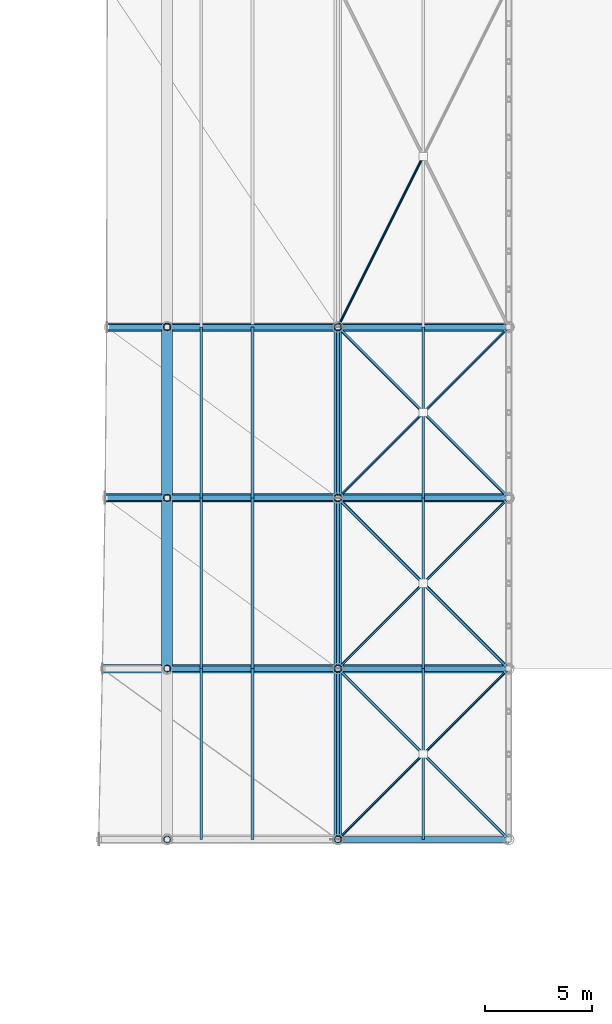
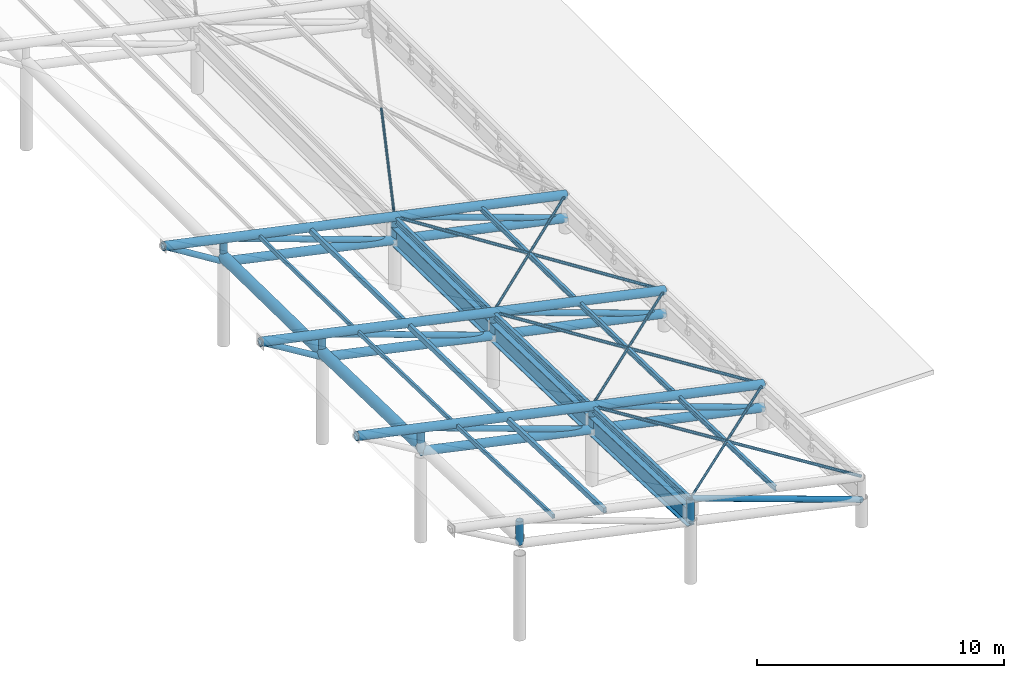
# One storey, part 14 of 41: 45 members, 5 beams.
"""IFC4 building model written with IfcOpenShell, lengths in metres."""

from ifc_helpers import new_model, si_unit, direction, frame, origin, origin_2d, place, context, subcontext, project, spatial, hollow_rectangle, hollow_circle, i_section, extrude, material, material_profile, profile_set, type_object, element, save


model = new_model("IFC4")

# Units and contexts
model_context = context("Model", 3, precision=1e-05, world=origin(), true_north=direction((0.0, 1.0)))
body_context = subcontext(model_context, "Body", "Model", "MODEL_VIEW")
ifc_project = project(units=[si_unit("LENGTHUNIT", "METRE"), si_unit("AREAUNIT", "SQUARE_METRE"), si_unit("VOLUMEUNIT", "CUBIC_METRE"), si_unit("PLANEANGLEUNIT", "RADIAN"), si_unit("MASSUNIT", "GRAM", prefix="KILO")], contexts=[model_context])

# Site, building, storey
site_placement = place(None, origin())
site = spatial("IfcSite", under=ifc_project, at=site_placement, CompositionType="ELEMENT")
building_placement = place(site_placement, origin())
building = spatial("IfcBuilding", under=site, at=building_placement, Name="Haebicheon Civic Stadium", CompositionType="ELEMENT")
storey_placement = place(building_placement, frame((0.0, 0.0, 27.0)))
storey = spatial("IfcBuildingStorey", under=building, at=storey_placement, Name="L07", CompositionType="ELEMENT", Elevation=27.0)

# Members
ifc_material_1 = material(Name="White painted steel SM490", Category="steel")
ifc_material_profile_1 = material_profile(ifc_material_1, hollow_circle(Radius=0.05712890625, WallThickness=0.006103515625, at=origin_2d()), Name="CHS-114.3x6.0")
ifc_profile_set_1 = profile_set([ifc_material_profile_1], Name="White painted steel SM490")
member_type_1 = type_object("IfcMemberType", Name="BRC-CHS114", PredefinedType="BRACE", material=ifc_profile_set_1)
member_1_placement = place(storey_placement, frame((152.0, 56.0, 2.097900390625), z_axis=(-0.696230932576, -0.696230932576, 0.174713986418), x_axis=(0.707106781187, -0.707106781187, 0.0)))
element("IfcMember", 1, at=member_1_placement, inside=storey, type_object=member_type_1, material=ifc_profile_set_1, Name="BR114 diagonal brace CAN-EAST canopy bay 1 B1", PredefinedType="BRACE", context=body_context, shape_type="SweptSolid", body=[
    extrude(hollow_circle(Radius=0.05712890625, WallThickness=0.006103515625, at=origin_2d()), origin(), (0.0, 0.0, 1.0), 5.67333984375),
])
member_2_placement = place(storey_placement, frame((147.949951171875, 51.949951171875, 3.114990234375), z_axis=(-0.696215223537, -0.696215223537, 0.174839140443), x_axis=(0.707106781187, -0.707106781187, 0.0)))
element("IfcMember", 2, at=member_2_placement, inside=storey, type_object=member_type_1, material=ifc_profile_set_1, Name="BR114 diagonal brace CAN-EAST canopy bay 1 B2", PredefinedType="BRACE", context=body_context, shape_type="SweptSolid", body=[
    extrude(hollow_circle(Radius=0.05712890625, WallThickness=0.006103515625, at=origin_2d()), origin(), (0.0, 0.0, 1.0), 5.673583984375),
])
for number, where, z_axis, x_axis, name in (
    (3, (152.0, 64.0, 1.89208984375), (-0.697078634818, -0.697078634818, 0.167817620534), (0.707106781187, -0.707106781187, 0.0), "BR114 diagonal brace CAN-EAST canopy bay 2 B1"),
    (4, (147.949951171875, 59.949951171875, 2.866943359375), (-0.697073594006, -0.697073594006, 0.167859492073), (0.707106781187, -0.707106781187, 0.0), "BR114 diagonal brace CAN-EAST canopy bay 2 B2"),
):
    element("IfcMember", number, at=place(storey_placement, frame(where, z_axis=z_axis, x_axis=x_axis)), inside=storey, type_object=member_type_1, material=ifc_profile_set_1, Name=name, PredefinedType="BRACE", context=body_context, shape_type="SweptSolid", body=[
        extrude(hollow_circle(Radius=0.05712890625, WallThickness=0.006103515625, at=origin_2d()), origin(), (0.0, 0.0, 1.0), 5.66650390625),
    ])
for number, where, z_axis, x_axis, name in (
    (5, (152.0, 72.0, 1.76806640625), (-0.697908610363, -0.697908610363, 0.160770467323), (0.707106781187, -0.707106781187, 0.0), "BR114 diagonal brace CAN-EAST canopy bay 3 B1"),
    (6, (147.949951171875, 67.949951171875, 2.701904296875), (-0.697903769693, -0.697903769693, 0.160812488622), (0.707106781187, -0.707106781187, 0.0), "BR114 diagonal brace CAN-EAST canopy bay 3 B2"),
):
    element("IfcMember", number, at=place(storey_placement, frame(where, z_axis=z_axis, x_axis=x_axis)), inside=storey, type_object=member_type_1, material=ifc_profile_set_1, Name=name, PredefinedType="BRACE", context=body_context, shape_type="SweptSolid", body=[
        extrude(hollow_circle(Radius=0.05712890625, WallThickness=0.006103515625, at=origin_2d()), origin(), (0.0, 0.0, 1.0), 5.65966796875),
    ])
member_3_placement = place(storey_placement, frame((147.968017578125, 79.93603515625, 2.614990234375), z_axis=(-0.445064264621, -0.890128529241, 0.097923448612), x_axis=(0.894427191, -0.4472135955, 0.0)))
element("IfcMember", 7, at=member_3_placement, inside=storey, type_object=member_type_1, material=ifc_profile_set_1, Name="BR114 diagonal brace CAN-EAST canopy bay 4 B2", PredefinedType="BRACE", context=body_context, shape_type="SweptSolid", body=[
    extrude(hollow_circle(Radius=0.05712890625, WallThickness=0.006103515625, at=origin_2d()), origin(), (0.0, 0.0, 1.0), 8.91552734375),
])
ifc_material_2 = material(Name="White painted steel SM490", Category="steel")
ifc_material_profile_2 = material_profile(ifc_material_2, hollow_circle(Radius=0.06982421875, WallThickness=0.006591796875, at=origin_2d()), Name="CHS-139.8x6.6")
ifc_profile_set_2 = profile_set([ifc_material_profile_2], Name="White painted steel SM490")
member_type_2 = type_object("IfcMemberType", Name="BRC-CHS139", PredefinedType="BRACE", material=ifc_profile_set_2)
member_4_placement = place(storey_placement, frame((152.0, 48.0, 2.386962890625), z_axis=(-0.701516385162, 0.701516385162, 0.12549710235), x_axis=(-0.707106781187, -0.707106781187, 0.0)))
element("IfcMember", 8, at=member_4_placement, inside=storey, type_object=member_type_2, material=ifc_profile_set_2, Name="BR139 diagonal brace CAN-EAST canopy bay 1 A", PredefinedType="BRACE", context=body_context, shape_type="SweptSolid", body=[
    extrude(hollow_circle(Radius=0.06982421875, WallThickness=0.006591796875, at=origin_2d()), origin(), (0.0, 0.0, 1.0), 11.40380859375),
])
member_5_placement = place(storey_placement, frame((152.0, 56.0, 2.097900390625), z_axis=(-0.700857906015, 0.700857906015, 0.13265138956), x_axis=(-0.707106781187, -0.707106781187, 0.0)))
element("IfcMember", 9, at=member_5_placement, inside=storey, type_object=member_type_2, material=ifc_profile_set_2, Name="BR139 diagonal brace CAN-EAST canopy bay 2 A", PredefinedType="BRACE", context=body_context, shape_type="SweptSolid", body=[
    extrude(hollow_circle(Radius=0.06982421875, WallThickness=0.006591796875, at=origin_2d()), origin(), (0.0, 0.0, 1.0), 11.41455078125),
])
member_6_placement = place(storey_placement, frame((152.0, 64.0, 1.89208984375), z_axis=(-0.700174773618, 0.700174773618, 0.139680251927), x_axis=(-0.707106781187, -0.707106781187, 0.0)))
element("IfcMember", 10, at=member_6_placement, inside=storey, type_object=member_type_2, material=ifc_profile_set_2, Name="BR139 diagonal brace CAN-EAST canopy bay 3 A", PredefinedType="BRACE", context=body_context, shape_type="SweptSolid", body=[
    extrude(hollow_circle(Radius=0.06982421875, WallThickness=0.006591796875, at=origin_2d()), origin(), (0.0, 0.0, 1.0), 11.42578125),
])
ifc_material_3 = material(Name="White painted steel SM490", Category="steel")
ifc_material_profile_3 = material_profile(ifc_material_3, hollow_circle(Radius=0.1337890625, WallThickness=0.011962890625, at=origin_2d()), Name="CHS-267.4x12.0")
ifc_profile_set_3 = profile_set([ifc_material_profile_3], Name="White painted steel SM490")
member_type_3 = type_object("IfcMemberType", Name="BRC-CHS267", PredefinedType="BRACE", material=ifc_profile_set_3)
for number, where, z_axis, x_axis, name in (
    (11, (152.0, 48.0, 1.237060546875), (-0.9412665544, 0.0, 0.3376644393), (0.0, -1.0, 0.0), "BR267 diagonal brace CAN-EAST truss 1 D1"),
    (12, (152.0, 56.0, 0.947998046875), (-0.941257424358, 0.0, 0.337689888939), (0.0, -1.0, 0.0), "BR267 diagonal brace CAN-EAST truss 2 D1"),
    (13, (144.0, 56.0, 2.66796875), (-0.941257424358, 0.0, 0.337689888939), (0.0, -1.0, 0.0), "BR267 diagonal brace CAN-EAST truss 2 D2"),
):
    element("IfcMember", number, at=place(storey_placement, frame(where, z_axis=z_axis, x_axis=x_axis)), inside=storey, type_object=member_type_3, material=ifc_profile_set_3, Name=name, PredefinedType="BRACE", context=body_context, shape_type="SweptSolid", body=[
        extrude(hollow_circle(Radius=0.1337890625, WallThickness=0.011962890625, at=origin_2d()), origin(), (0.0, 0.0, 1.0), 8.499267578125),
    ])
member_7_placement = place(storey_placement, frame((135.881103515625, 64.0, 4.2548828125), z_axis=(-0.853187395002, 0.0, 0.521604513984), x_axis=(0.0, -1.0, 0.0)))
element("IfcMember", 14, at=member_7_placement, inside=storey, type_object=member_type_3, material=ifc_profile_set_3, Name="BR267 diagonal brace CAN-EAST truss 3 tip", PredefinedType="BRACE", context=body_context, shape_type="SweptSolid", body=[
    extrude(hollow_circle(Radius=0.1337890625, WallThickness=0.011962890625, at=origin_2d()), origin(), (0.0, 0.0, 1.0), 3.259521484375),
])
for number, where, z_axis, x_axis, name in (
    (15, (152.0, 64.0, 0.741943359375), (-0.941257424358, 0.0, 0.337689888939), (0.0, -1.0, 0.0), "BR267 diagonal brace CAN-EAST truss 3 D1"),
    (16, (144.0, 64.0, 2.4619140625), (-0.941257424358, 0.0, 0.337689888939), (0.0, -1.0, 0.0), "BR267 diagonal brace CAN-EAST truss 3 D2"),
):
    element("IfcMember", number, at=place(storey_placement, frame(where, z_axis=z_axis, x_axis=x_axis)), inside=storey, type_object=member_type_3, material=ifc_profile_set_3, Name=name, PredefinedType="BRACE", context=body_context, shape_type="SweptSolid", body=[
        extrude(hollow_circle(Radius=0.1337890625, WallThickness=0.011962890625, at=origin_2d()), origin(), (0.0, 0.0, 1.0), 8.499267578125),
    ])
member_8_placement = place(storey_placement, frame((135.881103515625, 72.0, 4.132080078125), z_axis=(-0.849184113658, 0.0, 0.528096905038), x_axis=(0.0, -1.0, 0.0)))
element("IfcMember", 17, at=member_8_placement, inside=storey, type_object=member_type_3, material=ifc_profile_set_3, Name="BR267 diagonal brace CAN-EAST truss 4 tip", PredefinedType="BRACE", context=body_context, shape_type="SweptSolid", body=[
    extrude(hollow_circle(Radius=0.1337890625, WallThickness=0.011962890625, at=origin_2d()), origin(), (0.0, 0.0, 1.0), 3.186767578125),
])
for number, where, z_axis, x_axis, name in (
    (18, (152.0, 72.0, 0.617919921875), (-0.941257424358, 0.0, 0.337689888939), (0.0, -1.0, 0.0), "BR267 diagonal brace CAN-EAST truss 4 D1"),
    (19, (144.0, 72.0, 2.337890625), (-0.941257424358, 0.0, 0.337689888939), (0.0, -1.0, 0.0), "BR267 diagonal brace CAN-EAST truss 4 D2"),
):
    element("IfcMember", number, at=place(storey_placement, frame(where, z_axis=z_axis, x_axis=x_axis)), inside=storey, type_object=member_type_3, material=ifc_profile_set_3, Name=name, PredefinedType="BRACE", context=body_context, shape_type="SweptSolid", body=[
        extrude(hollow_circle(Radius=0.1337890625, WallThickness=0.011962890625, at=origin_2d()), origin(), (0.0, 0.0, 1.0), 8.499267578125),
    ])
ifc_material_4 = material(Name="White painted steel SM490", Category="steel")
ifc_material_profile_4 = material_profile(ifc_material_4, hollow_circle(Radius=0.203125, WallThickness=0.01806640625, at=origin_2d()), Name="CHS-406.4x18.0")
ifc_profile_set_4 = profile_set([ifc_material_profile_4], Name="White painted steel SM490")
member_type_4 = type_object("IfcMemberType", Name="CHD-CHS406", PredefinedType="CHORD", material=ifc_profile_set_4)
member_9_placement = place(storey_placement, frame((152.0, 56.0, 2.097900390625), z_axis=(-0.977661924231, 0.0, 0.210183638537), x_axis=(0.0, -1.0, 0.0)))
element("IfcMember", 20, at=member_9_placement, inside=storey, type_object=member_type_4, material=ifc_profile_set_4, Name="CH406 truss chord CAN-EAST 2 top", PredefinedType="CHORD", context=body_context, shape_type="SweptSolid", body=[
    extrude(hollow_circle(Radius=0.203125, WallThickness=0.01806640625, at=origin_2d()), origin(), (0.0, 0.0, 1.0), 19.45947265625),
])
member_10_placement = place(storey_placement, frame((152.0, 56.0, 0.947998046875), z_axis=(-0.977659849808, 0.0, 0.210193287411), x_axis=(0.0, -1.0, 0.0)))
element("IfcMember", 21, at=member_10_placement, inside=storey, type_object=member_type_4, material=ifc_profile_set_4, Name="CH406 truss chord CAN-EAST 2 bottom", PredefinedType="CHORD", context=body_context, shape_type="SweptSolid", body=[
    extrude(hollow_circle(Radius=0.203125, WallThickness=0.01806640625, at=origin_2d()), origin(), (0.0, 0.0, 1.0), 16.36572265625),
])
member_11_placement = place(storey_placement, frame((152.0, 64.0, 1.89208984375), z_axis=(-0.977664330265, 0.0, 0.210172446641), x_axis=(0.0, -1.0, 0.0)))
element("IfcMember", 22, at=member_11_placement, inside=storey, type_object=member_type_4, material=ifc_profile_set_4, Name="CH406 truss chord CAN-EAST 3 top", PredefinedType="CHORD", context=body_context, shape_type="SweptSolid", body=[
    extrude(hollow_circle(Radius=0.203125, WallThickness=0.01806640625, at=origin_2d()), origin(), (0.0, 0.0, 1.0), 19.331787109375),
])
member_12_placement = place(storey_placement, frame((152.0, 64.0, 0.741943359375), z_axis=(-0.977659849808, 0.0, 0.210193287411), x_axis=(0.0, -1.0, 0.0)))
element("IfcMember", 23, at=member_12_placement, inside=storey, type_object=member_type_4, material=ifc_profile_set_4, Name="CH406 truss chord CAN-EAST 3 bottom", PredefinedType="CHORD", context=body_context, shape_type="SweptSolid", body=[
    extrude(hollow_circle(Radius=0.203125, WallThickness=0.01806640625, at=origin_2d()), origin(), (0.0, 0.0, 1.0), 16.36572265625),
])
member_13_placement = place(storey_placement, frame((152.0, 72.0, 1.76806640625), z_axis=(-0.977664338006, 0.0, 0.210172410634), x_axis=(0.0, -1.0, 0.0)))
element("IfcMember", 24, at=member_13_placement, inside=storey, type_object=member_type_4, material=ifc_profile_set_4, Name="CH406 truss chord CAN-EAST 4 top", PredefinedType="CHORD", context=body_context, shape_type="SweptSolid", body=[
    extrude(hollow_circle(Radius=0.203125, WallThickness=0.01806640625, at=origin_2d()), origin(), (0.0, 0.0, 1.0), 19.255126953125),
])
member_14_placement = place(storey_placement, frame((152.0, 72.0, 0.617919921875), z_axis=(-0.977656784121, 0.0, 0.210207546159), x_axis=(0.0, -1.0, 0.0)))
element("IfcMember", 25, at=member_14_placement, inside=storey, type_object=member_type_4, material=ifc_profile_set_4, Name="CH406 truss chord CAN-EAST 4 bottom", PredefinedType="CHORD", context=body_context, shape_type="SweptSolid", body=[
    extrude(hollow_circle(Radius=0.203125, WallThickness=0.01806640625, at=origin_2d()), origin(), (0.0, 0.0, 1.0), 16.36572265625),
])
ifc_material_5 = material(Name="White painted steel SM490", Category="steel")
ifc_material_profile_5 = material_profile(ifc_material_5, hollow_rectangle(XDim=0.10009765625, YDim=0.199951171875, WallThickness=0.008056640625, at=origin_2d()), Name="RHS-200x100x8.0")
ifc_profile_set_5 = profile_set([ifc_material_profile_5], Name="White painted steel SM490")
member_type_5 = type_object("IfcMemberType", Name="PRL-RHS200", PredefinedType="RAFTER", material=ifc_profile_set_5)
member_15_placement = place(storey_placement, frame((137.60009765625, 48.0, 5.44091796875), z_axis=(0.0, 0.999348948505, -0.036078790469), x_axis=(-1.0, 0.0, 0.0)))
element("IfcMember", 26, at=member_15_placement, inside=storey, type_object=member_type_5, material=ifc_profile_set_5, Name="CAN-EAST canopy purlin bay 1 (90%)", PredefinedType="RAFTER", context=body_context, shape_type="SweptSolid", body=[
    extrude(hollow_rectangle(XDim=0.10009765625, YDim=0.199951171875, WallThickness=0.008056640625, at=origin_2d()), origin(), (0.0, 0.0, 1.0), 8.005126953125),
])
member_16_placement = place(storey_placement, frame((137.60009765625, 56.0, 5.152099609375), z_axis=(0.0, 0.999668457655, -0.025748296456), x_axis=(-1.0, 0.0, 0.0)))
element("IfcMember", 27, at=member_16_placement, inside=storey, type_object=member_type_5, material=ifc_profile_set_5, Name="CAN-EAST canopy purlin bay 2 (90%)", PredefinedType="RAFTER", context=body_context, shape_type="SweptSolid", body=[
    extrude(hollow_rectangle(XDim=0.10009765625, YDim=0.199951171875, WallThickness=0.008056640625, at=origin_2d()), origin(), (0.0, 0.0, 1.0), 8.002685546875),
])
member_17_placement = place(storey_placement, frame((137.60009765625, 64.0, 4.946044921875), z_axis=(0.0, 0.999879851243, -0.01550106703), x_axis=(-1.0, 0.0, 0.0)))
element("IfcMember", 28, at=member_17_placement, inside=storey, type_object=member_type_5, material=ifc_profile_set_5, Name="CAN-EAST canopy purlin bay 3 (90%)", PredefinedType="RAFTER", context=body_context, shape_type="SweptSolid", body=[
    extrude(hollow_rectangle(XDim=0.10009765625, YDim=0.199951171875, WallThickness=0.008056640625, at=origin_2d()), origin(), (0.0, 0.0, 1.0), 8.0009765625),
])
ifc_material_6 = material(Name="White painted steel SM490", Category="steel")
ifc_material_profile_6 = material_profile(ifc_material_6, hollow_rectangle(XDim=0.14990234375, YDim=0.25, WallThickness=0.010009765625, at=origin_2d()), Name="RHS-250x150x10.0")
ifc_profile_set_6 = profile_set([ifc_material_profile_6], Name="White painted steel SM490")
member_type_6 = type_object("IfcMemberType", Name="PRL-RHS250", PredefinedType="PURLIN", material=ifc_profile_set_6)
member_18_placement = place(storey_placement, frame((140.0, 48.0, 4.89990234375), z_axis=(0.0, 0.999348948505, -0.036078790469), x_axis=(-1.0, 0.0, 0.0)))
element("IfcMember", 29, at=member_18_placement, inside=storey, type_object=member_type_6, material=ifc_profile_set_6, Name="CAN-EAST canopy purlin bay 1 (75%)", PredefinedType="PURLIN", context=body_context, shape_type="SweptSolid", body=[
    extrude(hollow_rectangle(XDim=0.14990234375, YDim=0.25, WallThickness=0.010009765625, at=origin_2d()), origin(), (0.0, 0.0, 1.0), 8.005126953125),
])
member_19_placement = place(storey_placement, frame((140.0, 56.0, 4.611083984375), z_axis=(0.0, 0.999668457655, -0.025748296456), x_axis=(-1.0, 0.0, 0.0)))
element("IfcMember", 30, at=member_19_placement, inside=storey, type_object=member_type_6, material=ifc_profile_set_6, Name="CAN-EAST canopy purlin bay 2 (75%)", PredefinedType="PURLIN", context=body_context, shape_type="SweptSolid", body=[
    extrude(hollow_rectangle(XDim=0.14990234375, YDim=0.25, WallThickness=0.010009765625, at=origin_2d()), origin(), (0.0, 0.0, 1.0), 8.002685546875),
])
member_20_placement = place(storey_placement, frame((140.0, 64.0, 4.405029296875), z_axis=(0.0, 0.999879851243, -0.01550106703), x_axis=(-1.0, 0.0, 0.0)))
element("IfcMember", 31, at=member_20_placement, inside=storey, type_object=member_type_6, material=ifc_profile_set_6, Name="CAN-EAST canopy purlin bay 3 (75%)", PredefinedType="PURLIN", context=body_context, shape_type="SweptSolid", body=[
    extrude(hollow_rectangle(XDim=0.14990234375, YDim=0.25, WallThickness=0.010009765625, at=origin_2d()), origin(), (0.0, 0.0, 1.0), 8.0009765625),
])
ifc_material_7 = material(Name="White painted steel SM490", Category="steel")
ifc_material_profile_7 = material_profile(ifc_material_7, i_section(OverallWidth=0.125, OverallDepth=0.25, WebThickness=0.006103515625, FlangeThickness=0.009033203125, at=origin_2d()), Name="H-250x125x6x9")
ifc_profile_set_7 = profile_set([ifc_material_profile_7], Name="White painted steel SM490")
member_type_7 = type_object("IfcMemberType", Name="PRL-ST-H250", PredefinedType="PURLIN", material=ifc_profile_set_7)
member_21_placement = place(storey_placement, frame((148.0, 48.0, 3.179931640625), z_axis=(0.0, 0.999348948505, -0.036078790469), x_axis=(-1.0, 0.0, 0.0)))
element("IfcMember", 32, at=member_21_placement, inside=storey, type_object=member_type_7, material=ifc_profile_set_7, Name="CAN-EAST canopy purlin bay 1 (25%)", PredefinedType="PURLIN", context=body_context, shape_type="SweptSolid", body=[
    extrude(i_section(OverallWidth=0.125, OverallDepth=0.25, WebThickness=0.006103515625, FlangeThickness=0.009033203125, at=origin_2d()), origin(), (0.0, 0.0, 1.0), 8.005126953125),
])
member_22_placement = place(storey_placement, frame((148.0, 56.0, 2.89111328125), z_axis=(0.0, 0.999668457655, -0.025748296456), x_axis=(-1.0, 0.0, 0.0)))
element("IfcMember", 33, at=member_22_placement, inside=storey, type_object=member_type_7, material=ifc_profile_set_7, Name="CAN-EAST canopy purlin bay 2 (25%)", PredefinedType="PURLIN", context=body_context, shape_type="SweptSolid", body=[
    extrude(i_section(OverallWidth=0.125, OverallDepth=0.25, WebThickness=0.006103515625, FlangeThickness=0.009033203125, at=origin_2d()), origin(), (0.0, 0.0, 1.0), 8.002685546875),
])
member_23_placement = place(storey_placement, frame((148.0, 64.0, 2.68505859375), z_axis=(0.0, 0.999879851243, -0.01550106703), x_axis=(-1.0, 0.0, 0.0)))
element("IfcMember", 34, at=member_23_placement, inside=storey, type_object=member_type_7, material=ifc_profile_set_7, Name="CAN-EAST canopy purlin bay 3 (25%)", PredefinedType="PURLIN", context=body_context, shape_type="SweptSolid", body=[
    extrude(i_section(OverallWidth=0.125, OverallDepth=0.25, WebThickness=0.006103515625, FlangeThickness=0.009033203125, at=origin_2d()), origin(), (0.0, 0.0, 1.0), 8.0009765625),
])
ifc_material_8 = material(Name="White painted steel SM490", Category="steel")
ifc_material_profile_8 = material_profile(ifc_material_8, i_section(OverallWidth=0.14990234375, OverallDepth=0.300048828125, WebThickness=0.006591796875, FlangeThickness=0.009033203125, at=origin_2d()), Name="H-300x150x6.5x9")
ifc_profile_set_8 = profile_set([ifc_material_profile_8], Name="White painted steel SM490")
member_type_8 = type_object("IfcMemberType", Name="PRL-ST-H300", PredefinedType="PURLIN", material=ifc_profile_set_8)
member_24_placement = place(storey_placement, frame((144.0, 48.0, 4.014892578125), z_axis=(0.0, 0.999348948505, -0.036078790469), x_axis=(-1.0, 0.0, 0.0)))
element("IfcMember", 35, at=member_24_placement, inside=storey, type_object=member_type_8, material=ifc_profile_set_8, Name="CAN-EAST canopy purlin bay 1 (50%)", PredefinedType="PURLIN", context=body_context, shape_type="SweptSolid", body=[
    extrude(i_section(OverallWidth=0.14990234375, OverallDepth=0.300048828125, WebThickness=0.006591796875, FlangeThickness=0.009033203125, at=origin_2d()), origin(), (0.0, 0.0, 1.0), 8.005126953125),
])
member_25_placement = place(storey_placement, frame((144.0, 56.0, 3.72607421875), z_axis=(0.0, 0.999668457655, -0.025748296456), x_axis=(-1.0, 0.0, 0.0)))
element("IfcMember", 36, at=member_25_placement, inside=storey, type_object=member_type_8, material=ifc_profile_set_8, Name="CAN-EAST canopy purlin bay 2 (50%)", PredefinedType="PURLIN", context=body_context, shape_type="SweptSolid", body=[
    extrude(i_section(OverallWidth=0.14990234375, OverallDepth=0.300048828125, WebThickness=0.006591796875, FlangeThickness=0.009033203125, at=origin_2d()), origin(), (0.0, 0.0, 1.0), 8.002685546875),
])
member_26_placement = place(storey_placement, frame((144.0, 64.0, 3.52001953125), z_axis=(0.0, 0.999879851243, -0.01550106703), x_axis=(-1.0, 0.0, 0.0)))
element("IfcMember", 37, at=member_26_placement, inside=storey, type_object=member_type_8, material=ifc_profile_set_8, Name="CAN-EAST canopy purlin bay 3 (50%)", PredefinedType="PURLIN", context=body_context, shape_type="SweptSolid", body=[
    extrude(i_section(OverallWidth=0.14990234375, OverallDepth=0.300048828125, WebThickness=0.006591796875, FlangeThickness=0.009033203125, at=origin_2d()), origin(), (0.0, 0.0, 1.0), 8.0009765625),
])

# Beams
ifc_material_9 = material(Name="White painted steel SM490", Category="steel")
ifc_material_profile_9 = material_profile(ifc_material_9, hollow_circle(Radius=0.25390625, WallThickness=0.02490234375, at=origin_2d()), Name="CHS-508.0x25.0")
ifc_profile_set_9 = profile_set([ifc_material_profile_9], Name="White painted steel SM490")
beam_type_1 = type_object("IfcBeamType", Name="RB-ST-CHS508", PredefinedType="USERDEFINED", material=ifc_profile_set_9)
beam_1_placement = place(storey_placement, frame((136.0, 56.0, 4.637939453125), z_axis=(0.0, 0.999668457655, -0.025748296456), x_axis=(-1.0, 0.0, 0.0)))
element("IfcBeam", 38, at=beam_1_placement, inside=storey, type_object=beam_type_1, material=ifc_profile_set_9, Name="CAN-EAST polygonal ring beam RB-PIR bay 2", ObjectType="RING BEAM", PredefinedType="USERDEFINED", context=body_context, shape_type="SweptSolid", body=[
    extrude(hollow_circle(Radius=0.25390625, WallThickness=0.02490234375, at=origin_2d()), origin(), (0.0, 0.0, 1.0), 8.002685546875),
])
beam_2_placement = place(storey_placement, frame((136.0, 64.0, 4.431884765625), z_axis=(0.0, 0.999880323719, -0.015470560429), x_axis=(-1.0, 0.0, 0.0)))
element("IfcBeam", 39, at=beam_2_placement, inside=storey, type_object=beam_type_1, material=ifc_profile_set_9, Name="CAN-EAST polygonal ring beam RB-PIR bay 3", ObjectType="RING BEAM", PredefinedType="USERDEFINED", context=body_context, shape_type="SweptSolid", body=[
    extrude(hollow_circle(Radius=0.25390625, WallThickness=0.02490234375, at=origin_2d()), origin(), (0.0, 0.0, 1.0), 8.0009765625),
])
ifc_material_10 = material(Name="White painted steel SM490", Category="steel")
ifc_material_profile_10 = material_profile(ifc_material_10, i_section(OverallWidth=0.35009765625, OverallDepth=0.89990234375, WebThickness=0.01806640625, FlangeThickness=0.031982421875, at=origin_2d()), Name="H-900x350x18x32")
ifc_profile_set_10 = profile_set([ifc_material_profile_10], Name="White painted steel SM490")
beam_type_2 = type_object("IfcBeamType", Name="RB-ST-H900A", PredefinedType="USERDEFINED", material=ifc_profile_set_10)
beam_3_placement = place(storey_placement, frame((144.0, 48.0, 3.20703125), z_axis=(0.0, 0.999347848438, -0.03610924843), x_axis=(-1.0, 0.0, 0.0)))
element("IfcBeam", 40, at=beam_3_placement, inside=storey, type_object=beam_type_2, material=ifc_profile_set_10, Name="CAN-EAST polygonal ring beam RB-PIV bay 1", ObjectType="RING BEAM", PredefinedType="USERDEFINED", context=body_context, shape_type="SweptSolid", body=[
    extrude(i_section(OverallWidth=0.35009765625, OverallDepth=0.89990234375, WebThickness=0.01806640625, FlangeThickness=0.031982421875, at=origin_2d()), origin(), (0.0, 0.0, 1.0), 8.005126953125),
])
beam_4_placement = place(storey_placement, frame((144.0, 56.0, 2.91796875), z_axis=(0.0, 0.999668457655, -0.025748296456), x_axis=(-1.0, 0.0, 0.0)))
element("IfcBeam", 41, at=beam_4_placement, inside=storey, type_object=beam_type_2, material=ifc_profile_set_10, Name="CAN-EAST polygonal ring beam RB-PIV bay 2", ObjectType="RING BEAM", PredefinedType="USERDEFINED", context=body_context, shape_type="SweptSolid", body=[
    extrude(i_section(OverallWidth=0.35009765625, OverallDepth=0.89990234375, WebThickness=0.01806640625, FlangeThickness=0.031982421875, at=origin_2d()), origin(), (0.0, 0.0, 1.0), 8.002685546875),
])
beam_5_placement = place(storey_placement, frame((144.0, 64.0, 2.7119140625), z_axis=(0.0, 0.999879851243, -0.01550106703), x_axis=(-1.0, 0.0, 0.0)))
element("IfcBeam", 42, at=beam_5_placement, inside=storey, type_object=beam_type_2, material=ifc_profile_set_10, Name="CAN-EAST polygonal ring beam RB-PIV bay 3", ObjectType="RING BEAM", PredefinedType="USERDEFINED", context=body_context, shape_type="SweptSolid", body=[
    extrude(i_section(OverallWidth=0.35009765625, OverallDepth=0.89990234375, WebThickness=0.01806640625, FlangeThickness=0.031982421875, at=origin_2d()), origin(), (0.0, 0.0, 1.0), 8.0009765625),
])

# Members
ifc_material_11 = material(Name="White painted steel SM490", Category="steel")
ifc_material_profile_11 = material_profile(ifc_material_11, hollow_circle(Radius=0.1591796875, WallThickness=0.013916015625, at=origin_2d()), Name="CHS-318.5x14.0")
ifc_profile_set_11 = profile_set([ifc_material_profile_11], Name="White painted steel SM490")
member_type_9 = type_object("IfcMemberType", Name="STR-CHS318", PredefinedType="STRUT", material=ifc_profile_set_11)
for number, where, z_axis, x_axis, name in (
    (43, (144.0, 48.0, 2.95703125), (0.0, 0.0, 1.0), (1.0, 0.0, 0.0), "ST318 web strut CAN-EAST truss 1 VP"),
    (44, (136.0, 48.0, 4.677001953125), (0.0, 0.0, 1.0), (1.0, 0.0, 0.0), "ST318 web strut CAN-EAST truss 1 VR"),
):
    element("IfcMember", number, at=place(storey_placement, frame(where, z_axis=z_axis, x_axis=x_axis)), inside=storey, type_object=member_type_9, material=ifc_profile_set_11, Name=name, PredefinedType="STRUT", context=body_context, shape_type="SweptSolid", body=[
        extrude(hollow_circle(Radius=0.1591796875, WallThickness=0.013916015625, at=origin_2d()), origin(), (0.0, 0.0, 1.0), 1.14990234375),
    ])
for number, where, z_axis, x_axis, name in (
    (45, (144.0, 56.0, 2.66796875), (0.0, 0.0, 1.0), (1.0, 0.0, 0.0), "ST318 web strut CAN-EAST truss 2 VP"),
    (46, (136.0, 56.0, 4.387939453125), (0.0, 0.0, 1.0), (1.0, 0.0, 0.0), "ST318 web strut CAN-EAST truss 2 VR"),
    (47, (144.0, 64.0, 2.4619140625), (0.0, 0.0, 1.0), (1.0, 0.0, 0.0), "ST318 web strut CAN-EAST truss 3 VP"),
    (48, (136.0, 64.0, 4.181884765625), (0.0, 0.0, 1.0), (1.0, 0.0, 0.0), "ST318 web strut CAN-EAST truss 3 VR"),
    (49, (144.0, 72.0, 2.337890625), (0.0, 0.0, 1.0), (1.0, 0.0, 0.0), "ST318 web strut CAN-EAST truss 4 VP"),
):
    element("IfcMember", number, at=place(storey_placement, frame(where, z_axis=z_axis, x_axis=x_axis)), inside=storey, type_object=member_type_9, material=ifc_profile_set_11, Name=name, PredefinedType="STRUT", context=body_context, shape_type="SweptSolid", body=[
        extrude(hollow_circle(Radius=0.1591796875, WallThickness=0.013916015625, at=origin_2d()), origin(), (0.0, 0.0, 1.0), 1.150146484375),
    ])
member_27_placement = place(storey_placement, frame((136.0, 72.0, 4.05810546875), z_axis=(0.0, 0.0, 1.0), x_axis=(1.0, 0.0, 0.0)))
element("IfcMember", 50, at=member_27_placement, inside=storey, type_object=member_type_9, material=ifc_profile_set_11, Name="ST318 web strut CAN-EAST truss 4 VR", PredefinedType="STRUT", context=body_context, shape_type="SweptSolid", body=[
    extrude(hollow_circle(Radius=0.1591796875, WallThickness=0.013916015625, at=origin_2d()), origin(), (0.0, 0.0, 1.0), 1.14990234375),
])

save(model, "model.ifc")
